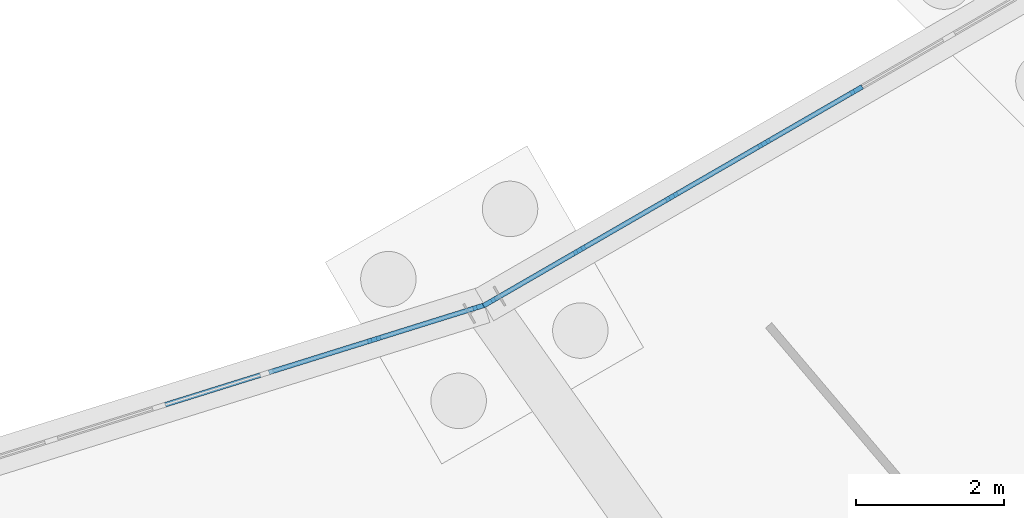
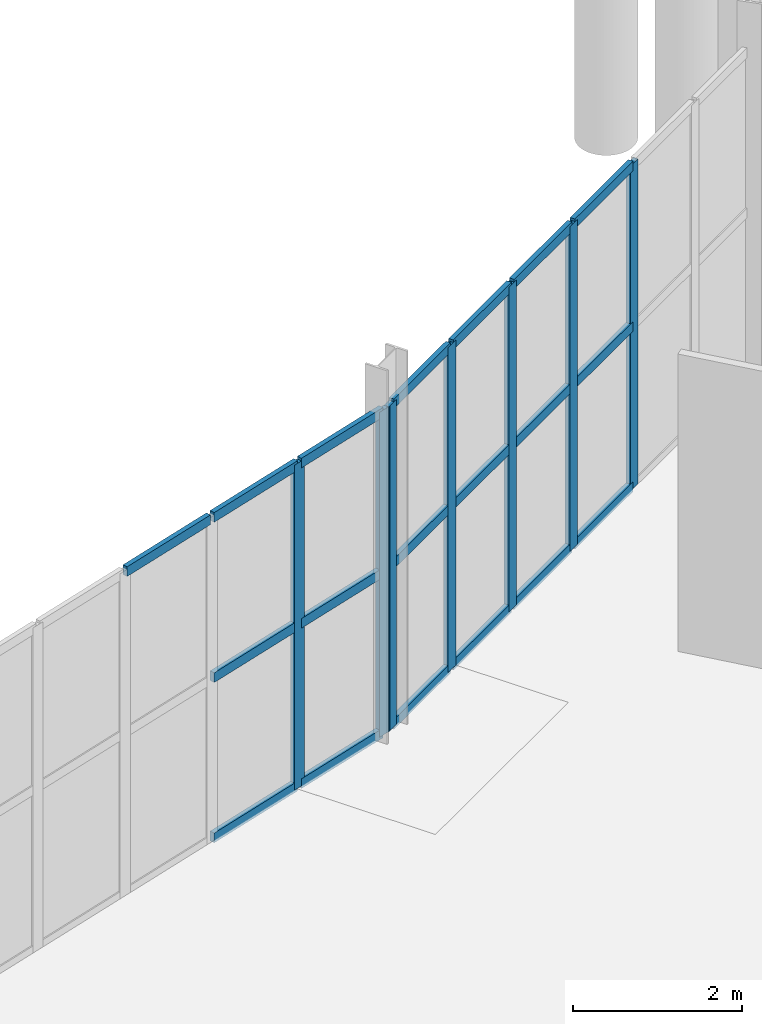
# One storey, part 59 of 118: 26 members, 2 elements without a shape of their own.
"""IFC4 building model written with IfcOpenShell, lengths in metres."""

import ifcopenshell
import ifcopenshell.guid

model = None  # the IFC model being written
_history = None  # IfcOwnerHistory: only IFC2X3 demands one
_inside = {}  # id of a spatial element -> (the spatial element, [elements in it])
_under = {}  # id of a project, library or spatial element -> (it, [spatial elements below it])
_declared = {}  # id of a project -> (the project, [libraries it declares])
_typed = {}  # id of a type object -> (the type object, [elements of that type])
_made_of = {}  # id of a material, layer set ... -> (it, [elements and type objects made of it])


def new_model(schema):
    """Start an empty IFC model of exactly this schema.

    Asked for "IFC4X3", IfcOpenShell would pick the latest addendum, in which some entities
    have other attributes; the version numbers below select the first issue.
    IFC2X3 requires an IfcOwnerHistory on every rooted entity: one is made here for all.
    """
    global model, _history
    if schema == "IFC4X3":
        model = ifcopenshell.file(schema_version=(4, 3, 0, 0))
    else:
        model = ifcopenshell.file(schema=schema)
    _inside.clear()
    _under.clear()
    _declared.clear()
    _typed.clear()
    _made_of.clear()
    _history = None
    if model.schema == "IFC2X3":
        org = make("IfcOrganization", Name="unknown")
        user = make(
            "IfcPersonAndOrganization",
            ThePerson=make("IfcPerson", FamilyName="unknown"),
            TheOrganization=org,
        )
        app = make(
            "IfcApplication",
            ApplicationDeveloper=org,
            Version="unknown",
            ApplicationFullName="unknown",
            ApplicationIdentifier="unknown",
        )
        _history = make(
            "IfcOwnerHistory",
            OwningUser=user,
            OwningApplication=app,
            ChangeAction="ADDED",
            CreationDate=0,
        )
    return model


def make(cls, **values):
    """One entity of the class cls with the attributes given. An attribute that is None is left unset."""
    return model.create_entity(
        cls, **{name: value for name, value in values.items() if value is not None}
    )


def rooted(cls, **values):
    """An entity with a GlobalId (a new one), such as an element, a storey or a relation."""
    return make(cls, GlobalId=ifcopenshell.guid.new(), OwnerHistory=_history, **values)


def si_unit(unit_type, name, prefix=None):
    """IfcSIUnit, for example si_unit("LENGTHUNIT", "METRE", prefix="MILLI")."""
    return make("IfcSIUnit", UnitType=unit_type, Prefix=prefix, Name=name)


def assignment(units):
    """IfcUnitAssignment: the units of a project."""
    return None if units is None else make("IfcUnitAssignment", Units=units)


def point(xyz):
    """IfcCartesianPoint."""
    return None if xyz is None else make("IfcCartesianPoint", Coordinates=xyz)


def direction(xyz):
    """IfcDirection."""
    return None if xyz is None else make("IfcDirection", DirectionRatios=xyz)


def frame(location, z_axis=None, x_axis=None):
    """IfcAxis2Placement3D, a coordinate frame: its origin and axes. An axis left out is left unset."""
    return make(
        "IfcAxis2Placement3D",
        Location=point(location),
        Axis=direction(z_axis),
        RefDirection=direction(x_axis),
    )


def frame_2d(location, x_axis=None):
    """IfcAxis2Placement2D, a coordinate frame in the plane: its origin and x axis."""
    return make(
        "IfcAxis2Placement2D", Location=point(location), RefDirection=direction(x_axis)
    )


def origin():
    """The frame at (0, 0, 0) with its axes left unset."""
    return frame((0.0, 0.0, 0.0))


def origin_2d():
    """The frame at (0, 0) in the plane with its x axis left unset."""
    return frame_2d((0.0, 0.0))


def place(relative_to, where):
    """IfcLocalPlacement: puts the frame where relative to a parent placement (None: the world)."""
    return make(
        "IfcLocalPlacement", PlacementRelTo=relative_to, RelativePlacement=where
    )


def context(
    kind, dimensions, precision=None, world=None, true_north=None, identifier=None
):
    """IfcGeometricRepresentationContext, for example the 3D "Model" context."""
    return make(
        "IfcGeometricRepresentationContext",
        ContextIdentifier=identifier,
        ContextType=kind,
        CoordinateSpaceDimension=dimensions,
        Precision=precision,
        WorldCoordinateSystem=world,
        TrueNorth=true_north,
    )


def subcontext(parent, identifier, kind, view, scale=None):
    """IfcGeometricRepresentationSubContext, for example "Body" below "Model"."""
    return make(
        "IfcGeometricRepresentationSubContext",
        ContextIdentifier=identifier,
        ContextType=kind,
        ParentContext=parent,
        TargetScale=scale,
        TargetView=view,
    )


def project(units=None, contexts=None):
    """IfcProject with its units and contexts."""
    return rooted(
        "IfcProject",
        Name="project",
        RepresentationContexts=contexts,
        UnitsInContext=assignment(units),
    )


def spatial(cls, under=None, at=None, **own):
    """A site, building, storey or space (cls), placed at a placement, below another one or the project."""
    s = rooted(cls, ObjectPlacement=at, **own)
    if under is not None:
        _under.setdefault(under.id(), (under, []))[1].append(s)
    return s


def profile(cls, at=None, kind="AREA", **sizes):
    """A parametric profile (cls). Its sizes go by their IFC names, for example OverallWidth=200.0."""
    return make(cls, ProfileType=kind, Position=at, **sizes)


def rectangle(**sizes):
    """IfcRectangleProfileDef."""
    return profile("IfcRectangleProfileDef", **sizes)


def extrude(swept, where, along, depth):
    """IfcExtrudedAreaSolid: the profile swept, set in the frame where, extruded along a direction by depth."""
    return make(
        "IfcExtrudedAreaSolid",
        SweptArea=swept,
        Position=where,
        ExtrudedDirection=direction(along),
        Depth=depth,
    )


def shape(context_of_items, identifier, shape_type, items):
    """IfcShapeRepresentation: the items that make up one representation, for example the "Body"."""
    return make(
        "IfcShapeRepresentation",
        ContextOfItems=context_of_items,
        RepresentationIdentifier=identifier,
        RepresentationType=shape_type,
        Items=items,
    )


def material(Name=None, Category=None):
    """IfcMaterial."""
    return make("IfcMaterial", Name=Name, Category=Category)


def material_profile(
    of_material, cross_section, Name=None, Category=None, Priority=None
):
    """IfcMaterialProfile: a cross section and its material."""
    return make(
        "IfcMaterialProfile",
        Name=Name,
        Material=of_material,
        Profile=cross_section,
        Priority=Priority,
        Category=Category,
    )


def profile_set(profiles, Name=None, composite=None):
    """IfcMaterialProfileSet."""
    return make(
        "IfcMaterialProfileSet",
        Name=Name,
        MaterialProfiles=profiles,
        CompositeProfile=composite,
    )


def made_of(thing, what):
    """Note that an element or type object is made of a material, layer set ...; save() writes the relation."""
    if what is not None:
        _made_of.setdefault(what.id(), (what, []))[1].append(thing)
    return thing


def type_object(cls, material=None, **own):
    """A type object (cls), such as IfcWallType, which elements share."""
    return made_of(rooted(cls, **own), material)


def element(
    cls,
    number,
    at=None,
    inside=None,
    cuts=None,
    type_object=None,
    material=None,
    context=None,
    identifier="Body",
    shape_type=None,
    held_by="IfcProductDefinitionShape",
    body=None,
    shapes=None,
    **own,
):
    """One element of the class cls, such as IfcWall. Its Tag is "e" and its number.

    at: its placement. inside: the storey or other place that contains it. cuts: it is an
    opening in that element (IfcRelVoidsElement). A single representation is given by context,
    identifier, shape_type and body (its items); several are given by shapes. held_by: the class
    of the entity that holds the representations. save() writes the other relations.
    """
    e = rooted(cls, Tag="e%d" % number, ObjectPlacement=at, **own)
    if body is not None:
        shapes = [shape(context, identifier, shape_type, body)]
    if shapes is not None:
        e.Representation = make(held_by, Representations=shapes)
    if inside is not None:
        _inside.setdefault(inside.id(), (inside, []))[1].append(e)
    if cuts is not None:
        rooted(
            "IfcRelVoidsElement", RelatingBuildingElement=cuts, RelatedOpeningElement=e
        )
    if type_object is not None:
        _typed.setdefault(type_object.id(), (type_object, []))[1].append(e)
    return made_of(e, material)


def aggregate(whole, parts):
    """IfcRelAggregates: a whole, such as a stair, and the parts it consists of."""
    return rooted("IfcRelAggregates", RelatingObject=whole, RelatedObjects=parts)


def save(model, path):
    """Write the relations noted so far, then the file.

    IfcRelAggregates (storeys below a building ...), IfcRelContainedInSpatialStructure (elements
    in a storey), IfcRelDefinesByType, IfcRelAssociatesMaterial and IfcRelDeclares: one each for
    every whole, place, type object, material and project.
    """
    for whole, parts in _under.values():
        aggregate(whole, parts)
    for where, things in _inside.values():
        rooted(
            "IfcRelContainedInSpatialStructure",
            RelatedElements=things,
            RelatingStructure=where,
        )
    for kind, things in _typed.values():
        rooted("IfcRelDefinesByType", RelatedObjects=things, RelatingType=kind)
    for what, things in _made_of.values():
        rooted("IfcRelAssociatesMaterial", RelatedObjects=things, RelatingMaterial=what)
    for by, libraries in _declared.values():
        rooted("IfcRelDeclares", RelatingContext=by, RelatedDefinitions=libraries)
    model.write(path)


model = new_model("IFC4")

# Units and contexts
model_context = context("Model", 3, precision=1e-05, world=origin(), true_north=direction((0.0, 1.0)))
body_context = subcontext(model_context, "Body", "Model", "MODEL_VIEW")
ifc_project = project(units=[si_unit("LENGTHUNIT", "METRE"), si_unit("AREAUNIT", "SQUARE_METRE"), si_unit("VOLUMEUNIT", "CUBIC_METRE"), si_unit("PLANEANGLEUNIT", "RADIAN"), si_unit("MASSUNIT", "GRAM", prefix="KILO")], contexts=[model_context])

# Site, building, storey
site_placement = place(None, origin())
site = spatial("IfcSite", under=ifc_project, at=site_placement, CompositionType="ELEMENT")
building_placement = place(site_placement, origin())
building = spatial("IfcBuilding", under=site, at=building_placement, Name="Kildeholm Park Wholesale Market", CompositionType="ELEMENT")
storey_placement = place(building_placement, origin())
storey = spatial("IfcBuildingStorey", under=building, at=storey_placement, Name="L00", CompositionType="ELEMENT", Elevation=0.0)

# Curtain wall, members
ifc_material_1 = material(Name="Anodised aluminium and low-E double-glazed glass", Category="aluminium")
curtain_wall_type = type_object("IfcCurtainWallType", Name="Market hall glazed arcade stick curtain wall CW-01", PredefinedType="NOTDEFINED", material=ifc_material_1)
curtain_wall_1_placement = place(storey_placement, origin())
curtain_wall_1 = element("IfcCurtainWall", 1, at=curtain_wall_1_placement, inside=storey, type_object=curtain_wall_type, Name="Curtain wall CW-V1-IN0-19 CW-0096", PredefinedType="NOTDEFINED")
ifc_material_2 = material(Name="Anodised aluminium", Category="aluminium")
ifc_material_profile_1 = material_profile(ifc_material_2, rectangle(XDim=0.06494140625, YDim=0.179931640625, at=origin_2d()), Name="CWM 65x180")
ifc_profile_set_1 = profile_set([ifc_material_profile_1], Name="Anodised aluminium")
member_type_1 = type_object("IfcMemberType", Name="Curtain-wall mullion CWM-1 CWM 65x180", PredefinedType="MULLION", material=ifc_profile_set_1)
member_1_placement = place(storey_placement, frame((115.759521484375, 65.215087890625, 0.0), z_axis=(0.0, 0.0, 1.0), x_axis=(-0.297957339818, 0.954579186683, 0.0)))
member_1 = element("IfcMember", 2, at=member_1_placement, type_object=member_type_1, Name="CW-01 mullion 6 MEM-3054", PredefinedType="MULLION", context=body_context, shape_type="SweptSolid", body=[
    extrude(rectangle(XDim=0.06494140625, YDim=0.179931640625, at=origin_2d()), origin(), (0.0, 0.0, 1.0), 4.699951171875),
])
member_2_placement = place(storey_placement, frame((117.182861328125, 65.659423828125, 0.0), z_axis=(0.0, 0.0, 1.0), x_axis=(-0.297957339818, 0.954579186683, 0.0)))
member_2 = element("IfcMember", 3, at=member_2_placement, type_object=member_type_1, Name="CW-01 mullion 7 MEM-3055", PredefinedType="MULLION", context=body_context, shape_type="SweptSolid", body=[
    extrude(rectangle(XDim=0.06494140625, YDim=0.179931640625, at=origin_2d()), origin(), (0.0, 0.0, 1.0), 4.699951171875),
])

curtain_wall_2_placement = place(storey_placement, origin())
curtain_wall_2 = element("IfcCurtainWall", 4, at=curtain_wall_2_placement, inside=storey, type_object=curtain_wall_type, Name="Curtain wall CW-V1-IN0-20 CW-0101", PredefinedType="NOTDEFINED")
member_3_placement = place(storey_placement, frame((117.316162109375, 65.71728515625, 0.0), z_axis=(0.0, 0.0, 1.0), x_axis=(-0.500489412982, 0.865742656621, 0.0)))
member_3 = element("IfcMember", 5, at=member_3_placement, type_object=member_type_1, Name="CW-01 mullion 1 MEM-3194", PredefinedType="MULLION", context=body_context, shape_type="SweptSolid", body=[
    extrude(rectangle(XDim=0.06494140625, YDim=0.179931640625, at=origin_2d()), origin(), (0.0, 0.0, 1.0), 4.699951171875),
])
member_4_placement = place(storey_placement, frame((118.536376953125, 66.422607421875, 0.0), z_axis=(0.0, 0.0, 1.0), x_axis=(-0.500489412982, 0.865742656621, 0.0)))
member_4 = element("IfcMember", 6, at=member_4_placement, type_object=member_type_1, Name="CW-01 mullion 2 MEM-3195", PredefinedType="MULLION", context=body_context, shape_type="SweptSolid", body=[
    extrude(rectangle(XDim=0.06494140625, YDim=0.179931640625, at=origin_2d()), origin(), (0.0, 0.0, 1.0), 4.699951171875),
])
member_5_placement = place(storey_placement, frame((119.78466796875, 67.144287109375, 0.0), z_axis=(0.0, 0.0, 1.0), x_axis=(-0.500489412982, 0.865742656621, 0.0)))
member_5 = element("IfcMember", 7, at=member_5_placement, type_object=member_type_1, Name="CW-01 mullion 3 MEM-3196", PredefinedType="MULLION", context=body_context, shape_type="SweptSolid", body=[
    extrude(rectangle(XDim=0.06494140625, YDim=0.179931640625, at=origin_2d()), origin(), (0.0, 0.0, 1.0), 4.699951171875),
])
member_6_placement = place(storey_placement, frame((121.032958984375, 67.865966796875, 0.0), z_axis=(0.0, 0.0, 1.0), x_axis=(-0.500489412982, 0.865742656621, 0.0)))
member_6 = element("IfcMember", 8, at=member_6_placement, type_object=member_type_1, Name="CW-01 mullion 4 MEM-3197", PredefinedType="MULLION", context=body_context, shape_type="SweptSolid", body=[
    extrude(rectangle(XDim=0.06494140625, YDim=0.179931640625, at=origin_2d()), origin(), (0.0, 0.0, 1.0), 4.699951171875),
])
member_7_placement = place(storey_placement, frame((122.28125, 68.587646484375, 0.0), z_axis=(0.0, 0.0, 1.0), x_axis=(-0.500489412982, 0.865742656621, 0.0)))
member_7 = element("IfcMember", 9, at=member_7_placement, type_object=member_type_1, Name="CW-01 mullion 5 MEM-3198", PredefinedType="MULLION", context=body_context, shape_type="SweptSolid", body=[
    extrude(rectangle(XDim=0.06494140625, YDim=0.179931640625, at=origin_2d()), origin(), (0.0, 0.0, 1.0), 4.699951171875),
])

# Member
ifc_material_profile_2 = material_profile(ifc_material_2, rectangle(XDim=0.06494140625, YDim=0.139892578125, at=origin_2d()), Name="CWT 65x140")
ifc_profile_set_2 = profile_set([ifc_material_profile_2], Name="Anodised aluminium")
member_type_2 = type_object("IfcMemberType", Name="Curtain-wall transom CWT-1 CWT 65x140", PredefinedType="USERDEFINED", material=ifc_profile_set_2)
member_8_placement = place(storey_placement, frame((112.881591796875, 64.316650390625, 4.66748046875), z_axis=(0.954584161709, 0.297941400639, 0.0), x_axis=(-0.297941400639, 0.954584161709, 0.0)))
member_8 = element("IfcMember", 10, at=member_8_placement, type_object=member_type_2, Name="CW-01 transom 4.3 MEM-3067", ObjectType="TRANSOM", PredefinedType="USERDEFINED", context=body_context, shape_type="SweptSolid", body=[
    extrude(rectangle(XDim=0.06494140625, YDim=0.139892578125, at=origin_2d()), origin(), (0.0, 0.0, 1.0), 1.45849609375),
])

member_9_placement = place(storey_placement, frame((114.3359375, 64.770751953125, 0.032470703125), z_axis=(0.954599016566, 0.297893802505, 0.0), x_axis=(-0.297893802505, 0.954599016566, 0.0)))
member_9 = element("IfcMember", 11, at=member_9_placement, type_object=member_type_2, Name="CW-01 transom 5.1 MEM-3068", ObjectType="TRANSOM", PredefinedType="USERDEFINED", context=body_context, shape_type="SweptSolid", body=[
    extrude(rectangle(XDim=0.06494140625, YDim=0.139892578125, at=origin_2d()), origin(), (0.0, 0.0, 1.0), 1.458740234375),
])

member_10_placement = place(storey_placement, frame((114.3359375, 64.770751953125, 2.35009765625), z_axis=(0.954599016566, 0.297893802505, 0.0), x_axis=(-0.297893802505, 0.954599016566, 0.0)))
member_10 = element("IfcMember", 12, at=member_10_placement, type_object=member_type_2, Name="CW-01 transom 5.2 MEM-3069", ObjectType="TRANSOM", PredefinedType="USERDEFINED", context=body_context, shape_type="SweptSolid", body=[
    extrude(rectangle(XDim=0.06494140625, YDim=0.139892578125, at=origin_2d()), origin(), (0.0, 0.0, 1.0), 1.458740234375),
])

member_11_placement = place(storey_placement, frame((114.3359375, 64.770751953125, 4.66748046875), z_axis=(0.954599016566, 0.297893802505, 0.0), x_axis=(-0.297893802505, 0.954599016566, 0.0)))
member_11 = element("IfcMember", 13, at=member_11_placement, type_object=member_type_2, Name="CW-01 transom 5.3 MEM-3070", ObjectType="TRANSOM", PredefinedType="USERDEFINED", context=body_context, shape_type="SweptSolid", body=[
    extrude(rectangle(XDim=0.06494140625, YDim=0.139892578125, at=origin_2d()), origin(), (0.0, 0.0, 1.0), 1.458740234375),
])

member_12_placement = place(storey_placement, frame((115.79052734375, 65.224609375, 0.032470703125), z_axis=(0.954553055234, 0.298041045402, 0.0), x_axis=(-0.298041045402, 0.954553055234, 0.0)))
member_12 = element("IfcMember", 14, at=member_12_placement, type_object=member_type_2, Name="CW-01 transom 6.1 MEM-3071", ObjectType="TRANSOM", PredefinedType="USERDEFINED", context=body_context, shape_type="SweptSolid", body=[
    extrude(rectangle(XDim=0.06494140625, YDim=0.139892578125, at=origin_2d()), origin(), (0.0, 0.0, 1.0), 1.426025390625),
])

member_13_placement = place(storey_placement, frame((115.79052734375, 65.224609375, 2.35009765625), z_axis=(0.954553055234, 0.298041045402, 0.0), x_axis=(-0.298041045402, 0.954553055234, 0.0)))
member_13 = element("IfcMember", 15, at=member_13_placement, type_object=member_type_2, Name="CW-01 transom 6.2 MEM-3072", ObjectType="TRANSOM", PredefinedType="USERDEFINED", context=body_context, shape_type="SweptSolid", body=[
    extrude(rectangle(XDim=0.06494140625, YDim=0.139892578125, at=origin_2d()), origin(), (0.0, 0.0, 1.0), 1.426025390625),
])

member_14_placement = place(storey_placement, frame((115.79052734375, 65.224609375, 4.66748046875), z_axis=(0.954553055234, 0.298041045402, 0.0), x_axis=(-0.298041045402, 0.954553055234, 0.0)))
member_14 = element("IfcMember", 16, at=member_14_placement, type_object=member_type_2, Name="CW-01 transom 6.3 MEM-3073", ObjectType="TRANSOM", PredefinedType="USERDEFINED", context=body_context, shape_type="SweptSolid", body=[
    extrude(rectangle(XDim=0.06494140625, YDim=0.139892578125, at=origin_2d()), origin(), (0.0, 0.0, 1.0), 1.426025390625),
])

aggregate(curtain_wall_1, [member_1, member_2, member_8, member_9, member_10, member_11, member_12, member_13, member_14])

member_15_placement = place(storey_placement, frame((117.34423828125, 65.733642578125, 0.032470703125), z_axis=(0.865774168037, 0.50043490082, 0.0), x_axis=(-0.50043490082, 0.865774168037, 0.0)))
member_15 = element("IfcMember", 17, at=member_15_placement, type_object=member_type_2, Name="CW-01 transom 1.1 MEM-3201", ObjectType="TRANSOM", PredefinedType="USERDEFINED", context=body_context, shape_type="SweptSolid", body=[
    extrude(rectangle(XDim=0.06494140625, YDim=0.139892578125, at=origin_2d()), origin(), (0.0, 0.0, 1.0), 1.344482421875),
])

member_16_placement = place(storey_placement, frame((117.34423828125, 65.733642578125, 2.35009765625), z_axis=(0.865774168037, 0.50043490082, 0.0), x_axis=(-0.50043490082, 0.865774168037, 0.0)))
member_16 = element("IfcMember", 18, at=member_16_placement, type_object=member_type_2, Name="CW-01 transom 1.2 MEM-3202", ObjectType="TRANSOM", PredefinedType="USERDEFINED", context=body_context, shape_type="SweptSolid", body=[
    extrude(rectangle(XDim=0.06494140625, YDim=0.139892578125, at=origin_2d()), origin(), (0.0, 0.0, 1.0), 1.344482421875),
])

member_17_placement = place(storey_placement, frame((117.34423828125, 65.733642578125, 4.66748046875), z_axis=(0.865774168037, 0.50043490082, 0.0), x_axis=(-0.50043490082, 0.865774168037, 0.0)))
member_17 = element("IfcMember", 19, at=member_17_placement, type_object=member_type_2, Name="CW-01 transom 1.3 MEM-3203", ObjectType="TRANSOM", PredefinedType="USERDEFINED", context=body_context, shape_type="SweptSolid", body=[
    extrude(rectangle(XDim=0.06494140625, YDim=0.139892578125, at=origin_2d()), origin(), (0.0, 0.0, 1.0), 1.344482421875),
])

member_18_placement = place(storey_placement, frame((118.564453125, 66.43896484375, 0.032470703125), z_axis=(0.865733630758, 0.500505025523, 0.0), x_axis=(-0.500505025523, 0.865733630758, 0.0)))
member_18 = element("IfcMember", 20, at=member_18_placement, type_object=member_type_2, Name="CW-01 transom 2.1 MEM-3204", ObjectType="TRANSOM", PredefinedType="USERDEFINED", context=body_context, shape_type="SweptSolid", body=[
    extrude(rectangle(XDim=0.06494140625, YDim=0.139892578125, at=origin_2d()), origin(), (0.0, 0.0, 1.0), 1.376953125),
])

member_19_placement = place(storey_placement, frame((118.564453125, 66.43896484375, 2.35009765625), z_axis=(0.865733630758, 0.500505025523, 0.0), x_axis=(-0.500505025523, 0.865733630758, 0.0)))
member_19 = element("IfcMember", 21, at=member_19_placement, type_object=member_type_2, Name="CW-01 transom 2.2 MEM-3205", ObjectType="TRANSOM", PredefinedType="USERDEFINED", context=body_context, shape_type="SweptSolid", body=[
    extrude(rectangle(XDim=0.06494140625, YDim=0.139892578125, at=origin_2d()), origin(), (0.0, 0.0, 1.0), 1.376953125),
])

member_20_placement = place(storey_placement, frame((118.564453125, 66.43896484375, 4.66748046875), z_axis=(0.865733630758, 0.500505025523, 0.0), x_axis=(-0.500505025523, 0.865733630758, 0.0)))
member_20 = element("IfcMember", 22, at=member_20_placement, type_object=member_type_2, Name="CW-01 transom 2.3 MEM-3206", ObjectType="TRANSOM", PredefinedType="USERDEFINED", context=body_context, shape_type="SweptSolid", body=[
    extrude(rectangle(XDim=0.06494140625, YDim=0.139892578125, at=origin_2d()), origin(), (0.0, 0.0, 1.0), 1.376953125),
])

member_21_placement = place(storey_placement, frame((119.812744140625, 67.16064453125, 0.032470703125), z_axis=(0.865733630758, 0.500505025523, 0.0), x_axis=(-0.500505025523, 0.865733630758, 0.0)))
member_21 = element("IfcMember", 23, at=member_21_placement, type_object=member_type_2, Name="CW-01 transom 3.1 MEM-3207", ObjectType="TRANSOM", PredefinedType="USERDEFINED", context=body_context, shape_type="SweptSolid", body=[
    extrude(rectangle(XDim=0.06494140625, YDim=0.139892578125, at=origin_2d()), origin(), (0.0, 0.0, 1.0), 1.376953125),
])

member_22_placement = place(storey_placement, frame((119.812744140625, 67.16064453125, 2.35009765625), z_axis=(0.865733630758, 0.500505025523, 0.0), x_axis=(-0.500505025523, 0.865733630758, 0.0)))
member_22 = element("IfcMember", 24, at=member_22_placement, type_object=member_type_2, Name="CW-01 transom 3.2 MEM-3208", ObjectType="TRANSOM", PredefinedType="USERDEFINED", context=body_context, shape_type="SweptSolid", body=[
    extrude(rectangle(XDim=0.06494140625, YDim=0.139892578125, at=origin_2d()), origin(), (0.0, 0.0, 1.0), 1.376953125),
])

member_23_placement = place(storey_placement, frame((119.812744140625, 67.16064453125, 4.66748046875), z_axis=(0.865733630758, 0.500505025523, 0.0), x_axis=(-0.500505025523, 0.865733630758, 0.0)))
member_23 = element("IfcMember", 25, at=member_23_placement, type_object=member_type_2, Name="CW-01 transom 3.3 MEM-3209", ObjectType="TRANSOM", PredefinedType="USERDEFINED", context=body_context, shape_type="SweptSolid", body=[
    extrude(rectangle(XDim=0.06494140625, YDim=0.139892578125, at=origin_2d()), origin(), (0.0, 0.0, 1.0), 1.376953125),
])

member_24_placement = place(storey_placement, frame((121.06103515625, 67.88232421875, 0.032470703125), z_axis=(0.865810450204, 0.50037212584, 0.0), x_axis=(-0.50037212584, 0.865810450204, 0.0)))
member_24 = element("IfcMember", 26, at=member_24_placement, type_object=member_type_2, Name="CW-01 transom 4.1 MEM-3210", ObjectType="TRANSOM", PredefinedType="USERDEFINED", context=body_context, shape_type="SweptSolid", body=[
    extrude(rectangle(XDim=0.06494140625, YDim=0.139892578125, at=origin_2d()), origin(), (0.0, 0.0, 1.0), 1.376953125),
])

member_25_placement = place(storey_placement, frame((121.06103515625, 67.88232421875, 2.35009765625), z_axis=(0.865810450204, 0.50037212584, 0.0), x_axis=(-0.50037212584, 0.865810450204, 0.0)))
member_25 = element("IfcMember", 27, at=member_25_placement, type_object=member_type_2, Name="CW-01 transom 4.2 MEM-3211", ObjectType="TRANSOM", PredefinedType="USERDEFINED", context=body_context, shape_type="SweptSolid", body=[
    extrude(rectangle(XDim=0.06494140625, YDim=0.139892578125, at=origin_2d()), origin(), (0.0, 0.0, 1.0), 1.376953125),
])

member_26_placement = place(storey_placement, frame((121.06103515625, 67.88232421875, 4.66748046875), z_axis=(0.865810450204, 0.50037212584, 0.0), x_axis=(-0.50037212584, 0.865810450204, 0.0)))
member_26 = element("IfcMember", 28, at=member_26_placement, type_object=member_type_2, Name="CW-01 transom 4.3 MEM-3212", ObjectType="TRANSOM", PredefinedType="USERDEFINED", context=body_context, shape_type="SweptSolid", body=[
    extrude(rectangle(XDim=0.06494140625, YDim=0.139892578125, at=origin_2d()), origin(), (0.0, 0.0, 1.0), 1.376953125),
])

aggregate(curtain_wall_2, [member_3, member_4, member_5, member_6, member_7, member_15, member_16, member_17, member_18, member_19, member_20, member_21, member_22, member_23, member_24, member_25, member_26])

save(model, "model.ifc")
